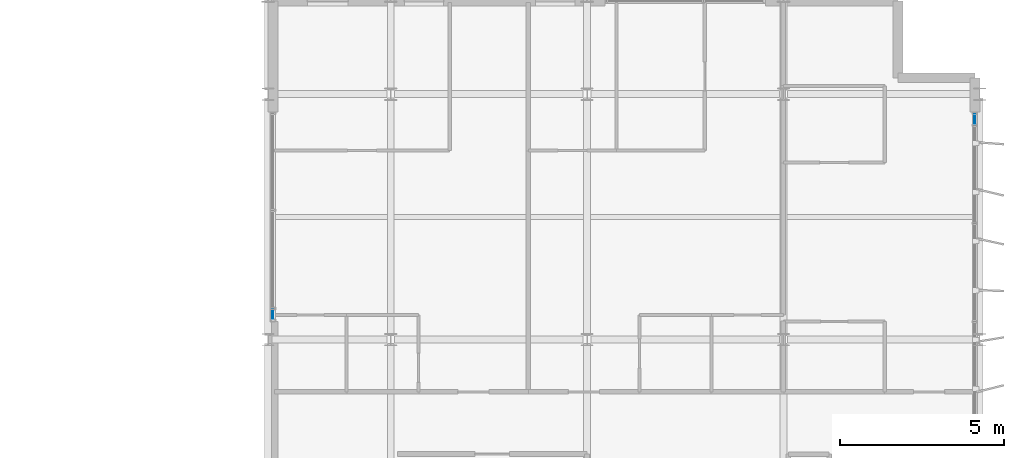
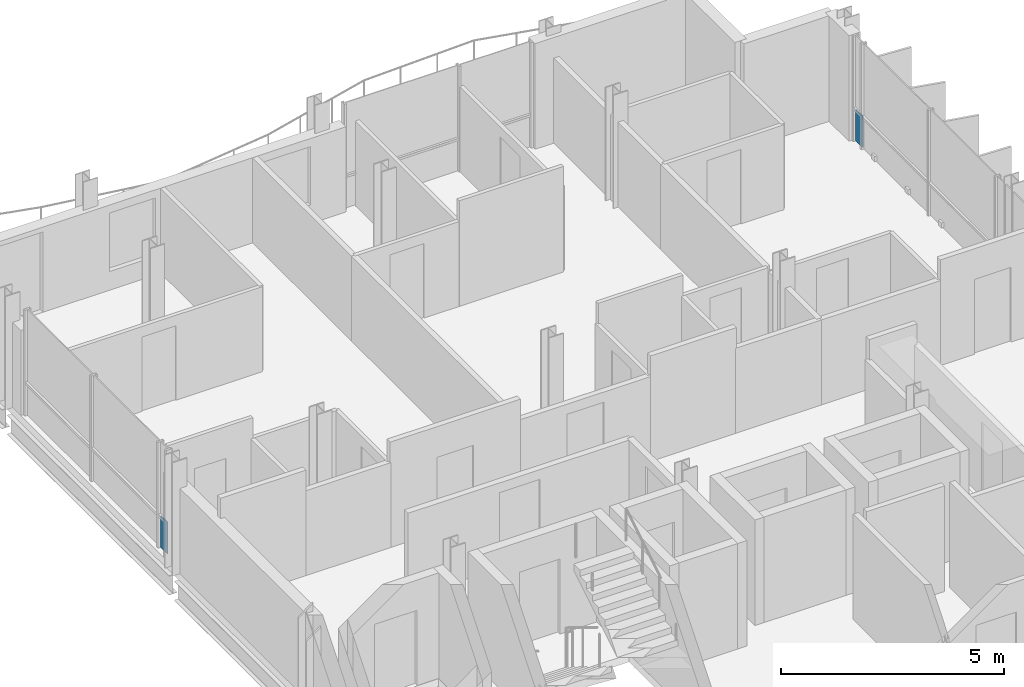
# One storey, part 21 of 30: 2 plates, 2 elements without a shape of their own.
"""IFC4 building model written with IfcOpenShell, lengths in metres."""

from ifc_helpers import new_model, si_unit, direction, frame, origin, origin_2d, place, context, subcontext, project, spatial, rectangle, extrude, material, layer, layer_set, type_object, element, aggregate, save


model = new_model("IFC4")

# Units and contexts
model_context = context("Model", 3, precision=1e-05, world=origin(), true_north=direction((0.0, 1.0)))
body_context = subcontext(model_context, "Body", "Model", "MODEL_VIEW")
ifc_project = project(units=[si_unit("LENGTHUNIT", "METRE"), si_unit("AREAUNIT", "SQUARE_METRE"), si_unit("VOLUMEUNIT", "CUBIC_METRE"), si_unit("PLANEANGLEUNIT", "RADIAN"), si_unit("MASSUNIT", "GRAM", prefix="KILO")], contexts=[model_context])

# Site, building, storey
site_placement = place(None, origin())
site = spatial("IfcSite", under=ifc_project, at=site_placement, CompositionType="ELEMENT")
building_placement = place(site_placement, origin())
building = spatial("IfcBuilding", under=site, at=building_placement, Name="Brevholm Reach", CompositionType="ELEMENT")
storey_placement = place(building_placement, frame((0.0, 0.0, 204.89990234375)))
storey = spatial("IfcBuildingStorey", under=building, at=storey_placement, Name="L62", CompositionType="ELEMENT", Elevation=204.89990234375)

# Curtain wall, plate
ifc_material_1 = material(Name="Dark Anodised Aluminium 6063-T6 and Solar-Control Glass", Category="aluminium")
ifc_layer_1 = layer(ifc_material_1, 0.1650390625)
ifc_layer_set_1 = layer_set([ifc_layer_1], Name="Dark Anodised Aluminium 6063-T6 and Solar-Control Glass")
curtain_wall_type_1 = type_object("IfcCurtainWallType", Name="CW-04", PredefinedType="NOTDEFINED", material=ifc_layer_set_1)
curtain_wall_1_placement = place(storey_placement, origin())
curtain_wall_1 = element("IfcCurtainWall", 1, at=curtain_wall_1_placement, inside=storey, type_object=curtain_wall_type_1, Name="L62 Curtain Wall CW-04", PredefinedType="NOTDEFINED")
ifc_material_2 = material(Name="Dark Solar-Control Double-Glazed IGU Glass", Category="glass")
ifc_layer_2 = layer(ifc_material_2, 0.028076171875)
ifc_layer_set_2 = layer_set([ifc_layer_2], Name="Dark Solar-Control Double-Glazed IGU Glass")
plate_type = type_object("IfcPlateType", Name="CWP-GLZ-28", PredefinedType="CURTAIN_PANEL", material=ifc_layer_set_2)
plate_1_placement = place(storey_placement, frame((38.39990234375, 16.767578125, 0.0), z_axis=(0.0, 0.0, 1.0), x_axis=(0.0, -1.0, 0.0)))
plate_1 = element("IfcPlate", 2, at=plate_1_placement, type_object=plate_type, Name="CP-01 Glazing Panel 3.1", PredefinedType="CURTAIN_PANEL", context=body_context, shape_type="SweptSolid", body=[
    extrude(rectangle(XDim=0.294921875, YDim=0.028076171875, at=origin_2d()), origin(), (0.0, 0.0, 1.0), 0.864990234375),
])
aggregate(curtain_wall_1, [plate_1])

ifc_material_3 = material(Name="Dark Anodised Aluminium 6063-T6 and Solar-Control Glass", Category="aluminium")
ifc_layer_3 = layer(ifc_material_3, 0.14990234375)
ifc_layer_set_3 = layer_set([ifc_layer_3], Name="Dark Anodised Aluminium 6063-T6 and Solar-Control Glass")
curtain_wall_type_2 = type_object("IfcCurtainWallType", Name="CW-01", PredefinedType="NOTDEFINED", material=ifc_layer_set_3)
curtain_wall_2_placement = place(storey_placement, origin())
curtain_wall_2 = element("IfcCurtainWall", 3, at=curtain_wall_2_placement, inside=storey, type_object=curtain_wall_type_2, Name="L62 Curtain Wall CW-01", PredefinedType="NOTDEFINED")
plate_2_placement = place(storey_placement, frame((59.85009765625, 22.733642578125, 0.0), z_axis=(0.0, 0.0, 1.0), x_axis=(0.0, 1.0, 0.0)))
plate_2 = element("IfcPlate", 4, at=plate_2_placement, type_object=plate_type, Name="CP-01 Glazing Panel 5.1", PredefinedType="CURTAIN_PANEL", context=body_context, shape_type="SweptSolid", body=[
    extrude(rectangle(XDim=0.302490234375, YDim=0.028076171875, at=origin_2d()), origin(), (0.0, 0.0, 1.0), 0.867431640625),
])
aggregate(curtain_wall_2, [plate_2])

save(model, "model.ifc")
